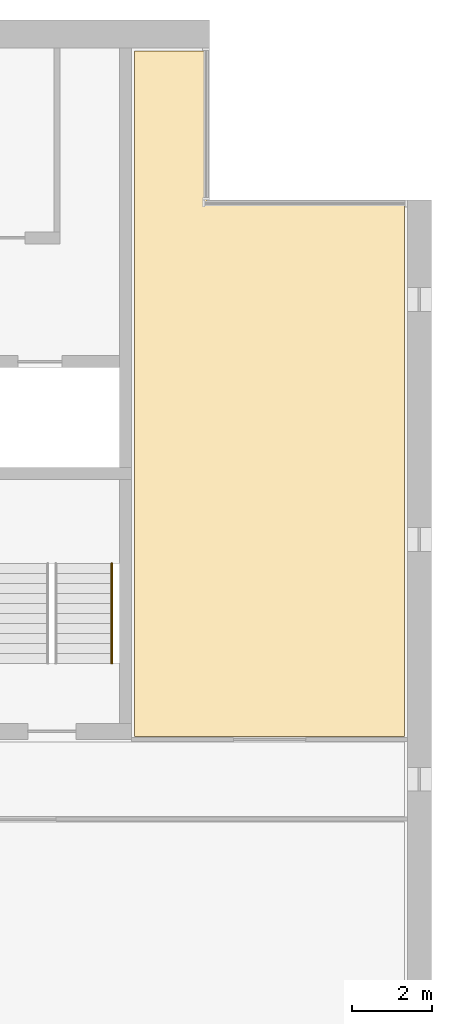
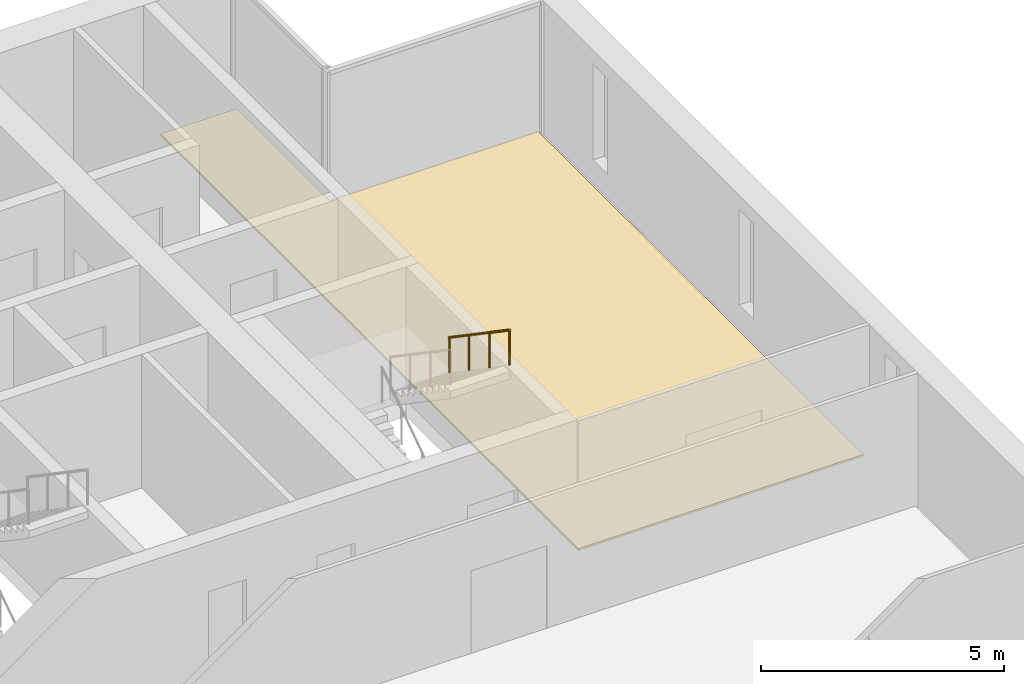
# One storey, part 17 of 17: 1 covering, 1 railing, 1 element without a shape of its own.
"""IFC4 building model written with IfcOpenShell, lengths in metres."""

from ifc_helpers import new_model, si_unit, direction, frame, origin, origin_2d, place, context, subcontext, project, spatial, polyline, circle, outline, extrude, material, layer, layer_set, type_object, element, aggregate, save


model = new_model("IFC4")

# Units and contexts
model_context = context("Model", 3, precision=1e-05, world=origin(), true_north=direction((0.0, 1.0)))
body_context = subcontext(model_context, "Body", "Model", "MODEL_VIEW")
ifc_project = project(units=[si_unit("LENGTHUNIT", "METRE"), si_unit("AREAUNIT", "SQUARE_METRE"), si_unit("VOLUMEUNIT", "CUBIC_METRE"), si_unit("PLANEANGLEUNIT", "RADIAN"), si_unit("MASSUNIT", "GRAM", prefix="KILO")], contexts=[model_context])

# Site, building, storey
site_placement = place(None, origin())
site = spatial("IfcSite", under=ifc_project, at=site_placement, CompositionType="ELEMENT")
building_placement = place(site_placement, origin())
building = spatial("IfcBuilding", under=site, at=building_placement, Name="Calvaro Tower", CompositionType="ELEMENT")
storey_placement = place(building_placement, frame((0.0, 0.0, 219.25)))
storey = spatial("IfcBuildingStorey", under=building, at=storey_placement, Name="L55", CompositionType="ELEMENT", Elevation=219.25)

# Covering
ifc_material_1 = material(Name="Cement screed with carpet tile finish")
ifc_layer = layer(ifc_material_1, 0.050048828125)
ifc_layer_set = layer_set([ifc_layer], Name="Cement screed with carpet tile finish")
covering_type = type_object("IfcCoveringType", Name="Floor finish 50", PredefinedType="FLOORING", material=ifc_layer_set)
covering_placement = place(storey_placement, origin())
element("IfcCovering", 1, at=covering_placement, inside=storey, type_object=covering_type, Name="Floor finish 31.17", PredefinedType="FLOORING", context=body_context, shape_type="SweptSolid", body=[
    extrude(outline(polyline([(71.330078125, 28.070068359375), (64.570068359375, 28.070068359375), (64.570068359375, 45.22998046875), (66.3798828125, 45.22998046875), (66.3798828125, 41.429931640625), (71.330078125, 41.429931640625), (71.330078125, 28.070068359375)])), origin(), (0.0, 0.0, 1.0), 0.050048828125),
])

# Stair, railing
ifc_material_2 = material(Name="Concrete C40/50", Category="concrete")
stair_type = type_object("IfcStairType", Name="Exit stair 1400 2 flights", PredefinedType="HALF_TURN_STAIR", material=ifc_material_2)
stair_placement = place(storey_placement, origin())
stair = element("IfcStair", 2, at=stair_placement, inside=storey, type_object=stair_type, Name="Exit stair S5", PredefinedType="HALF_TURN_STAIR")
ifc_material_3 = material(Name="Stainless steel", Category="steel")
railing_type = type_object("IfcRailingType", Name="Stair handrail", PredefinedType="HANDRAIL", material=ifc_material_3)
railing_placement = place(storey_placement, frame((64.0, 32.39990234375, 2.04541015625)))
railing = element("IfcRailing", 3, at=railing_placement, type_object=railing_type, Name="Exit stair 5 handrail", PredefinedType="HANDRAIL", context=body_context, shape_type="SweptSolid", body=[
    extrude(circle(Radius=0.02392578125, at=origin_2d()), frame((0.0, 0.0, 0.8759765625), z_axis=(0.0, -0.826220514629, 0.563346839174), x_axis=(1.0, 0.0, 0.0)), (0.0, 0.0, 1.0), 3.02587890625),
    extrude(circle(Radius=0.02099609375, at=origin_2d()), frame((0.0, -0.017333984375, 0.01171875)), (0.0, 0.0, 1.0), 0.851806640625),
    extrude(circle(Radius=0.02099609375, at=origin_2d()), frame((0.0, -0.833251953125, 0.568115234375)), (0.0, 0.0, 1.0), 0.851806640625),
    extrude(circle(Radius=0.02099609375, at=origin_2d()), frame((0.0, -1.666748046875, 1.136474609375)), (0.0, 0.0, 1.0), 0.851806640625),
    extrude(circle(Radius=0.02099609375, at=origin_2d()), frame((0.0, -2.482666015625, 1.69287109375)), (0.0, 0.0, 1.0), 0.851806640625),
])
aggregate(stair, [railing])

save(model, "model.ifc")
